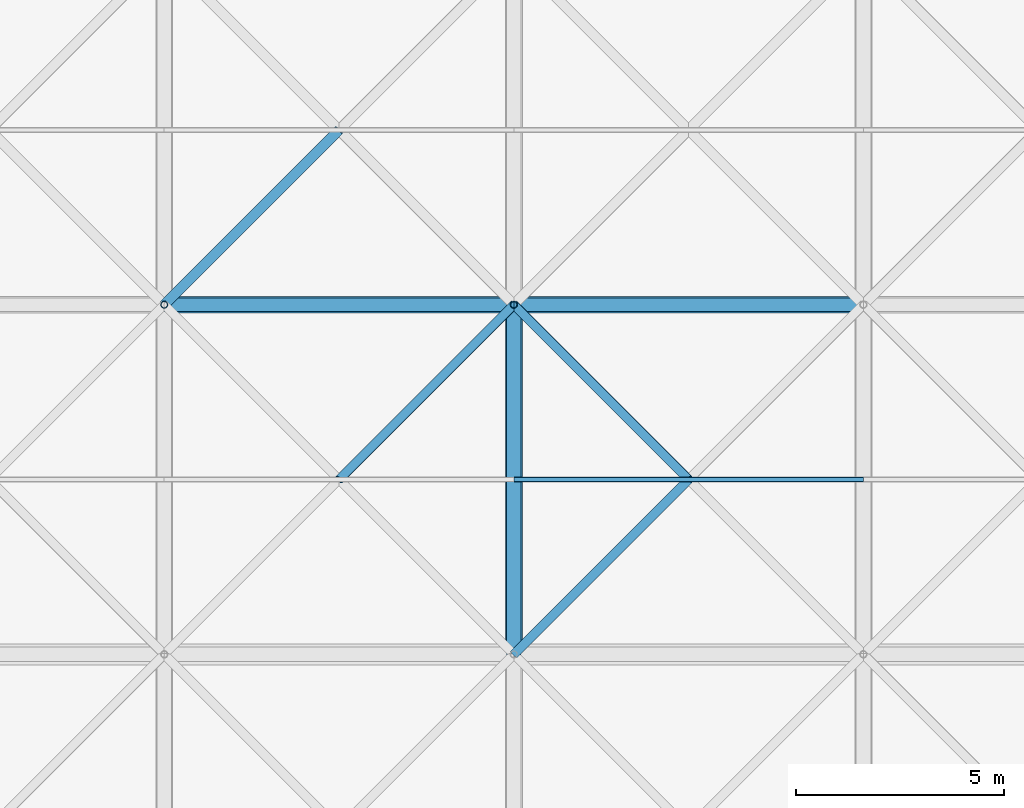
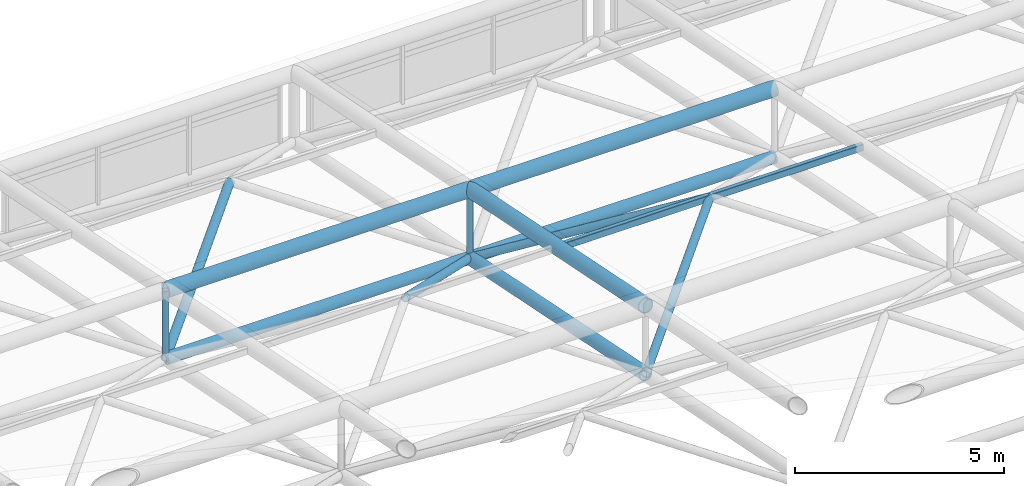
# One storey, part 51 of 81: 13 members.
"""IFC4 building model written with IfcOpenShell, lengths in metres."""

from ifc_helpers import new_model, si_unit, direction, frame, origin, origin_2d, place, context, subcontext, project, spatial, hollow_rectangle, hollow_circle, extrude, material, material_profile, profile_set, type_object, element, save


model = new_model("IFC4")

# Units and contexts
model_context = context("Model", 3, precision=1e-05, world=origin(), true_north=direction((0.0, 1.0)))
body_context = subcontext(model_context, "Body", "Model", "MODEL_VIEW")
ifc_project = project(units=[si_unit("LENGTHUNIT", "METRE"), si_unit("AREAUNIT", "SQUARE_METRE"), si_unit("VOLUMEUNIT", "CUBIC_METRE"), si_unit("PLANEANGLEUNIT", "RADIAN"), si_unit("MASSUNIT", "GRAM", prefix="KILO")], contexts=[model_context])

# Site, building, storey
site_placement = place(None, origin())
site = spatial("IfcSite", under=ifc_project, at=site_placement, CompositionType="ELEMENT")
building_placement = place(site_placement, origin())
building = spatial("IfcBuilding", under=site, at=building_placement, Name="Qawsi Khor Wholesale Market", CompositionType="ELEMENT")
storey_placement = place(building_placement, frame((0.0, 0.0, 16.199951171875)))
storey = spatial("IfcBuildingStorey", under=building, at=storey_placement, Name="L03", CompositionType="ELEMENT", Elevation=16.199951171875)

# Members
ifc_material = material(Name="Steel S355", Category="steel")
ifc_material_profile_1 = material_profile(ifc_material, hollow_circle(Radius=0.177734375, WallThickness=0.01611328125, at=origin_2d()), Name="CHS 355.6x16.0")
ifc_profile_set_1 = profile_set([ifc_material_profile_1], Name="Steel S355")
member_type_1 = type_object("IfcMemberType", Name="Space-Frame Bottom Chord CHS 355.6x16.0", PredefinedType="CHORD", material=ifc_profile_set_1)
member_1_placement = place(storey_placement, frame((42.0, 92.39990234375, 3.3701171875), z_axis=(0.0, 0.98013111127, -0.198350711418), x_axis=(-1.0, 0.0, 0.0)))
element("IfcMember", 1, at=member_1_placement, inside=storey, type_object=member_type_1, Name="Space frame bottom chord Y WH (5,11)", PredefinedType="CHORD", context=body_context, shape_type="SweptSolid", body=[
    extrude(hollow_circle(Radius=0.177734375, WallThickness=0.01611328125, at=origin_2d()), origin(), (0.0, 0.0, 1.0), 8.5703125),
])
ifc_material_profile_2 = material_profile(ifc_material, hollow_circle(Radius=0.122314453125, WallThickness=0.012451171875, at=origin_2d()), Name="CHS 244.5x12.5")
ifc_profile_set_2 = profile_set([ifc_material_profile_2], Name="Steel S355")
member_type_2 = type_object("IfcMemberType", Name="Space-Frame Heavy Diagonal CHS 244.5x12.5", PredefinedType="POST", material=ifc_profile_set_2)
member_2_placement = place(storey_placement, frame((33.60009765625, 100.800048828125, 1.670166015625), z_axis=(0.694216714393, 0.694216714393, 0.190069216113), x_axis=(-0.707106781187, 0.707106781187, 0.0)))
element("IfcMember", 2, at=member_2_placement, inside=storey, type_object=member_type_2, Name="Space frame diagonal WH (4,12)-1", PredefinedType="POST", context=body_context, shape_type="SweptSolid", body=[
    extrude(hollow_circle(Radius=0.122314453125, WallThickness=0.012451171875, at=origin_2d()), origin(), (0.0, 0.0, 1.0), 6.0498046875),
])
ifc_material_profile_3 = material_profile(ifc_material, hollow_rectangle(XDim=0.1201171875, YDim=0.199951171875, WallThickness=0.008056640625, InnerFilletRadius=0.008056640625, OuterFilletRadius=0.01611328125, at=origin_2d()), Name="RHS 200x120x8.0")
ifc_profile_set_3 = profile_set([ifc_material_profile_3], Name="Steel S355")
member_type_3 = type_object("IfcMemberType", Name="Space-Frame Heavy Purlin RHS 200x120x8.0", PredefinedType="PURLIN", material=ifc_profile_set_3)
member_3_placement = place(storey_placement, frame((42.0, 96.60009765625, 4.52001953125), z_axis=(1.0, 0.0, 0.0), x_axis=(0.0, 1.0, 0.0)))
element("IfcMember", 3, at=member_3_placement, inside=storey, type_object=member_type_3, Name="Space frame purlin WH (5,11)", PredefinedType="PURLIN", context=body_context, shape_type="SweptSolid", body=[
    extrude(hollow_rectangle(XDim=0.1201171875, YDim=0.199951171875, WallThickness=0.008056640625, InnerFilletRadius=0.008056640625, OuterFilletRadius=0.01611328125, at=origin_2d()), origin(), (0.0, 0.0, 1.0), 8.39990234375),
])
ifc_material_profile_4 = material_profile(ifc_material, hollow_circle(Radius=0.109619140625, WallThickness=0.010009765625, at=origin_2d()), Name="CHS 219.1x10.0")
ifc_profile_set_4 = profile_set([ifc_material_profile_4], Name="Steel S355")
member_type_4 = type_object("IfcMemberType", Name="Space-Frame Inner Diagonal CHS 219.1x10.0", PredefinedType="RAFTER", material=ifc_profile_set_4)
member_4_placement = place(storey_placement, frame((42.0, 100.800048828125, 1.670166015625), z_axis=(-0.637521961484, -0.637521961484, 0.432586982294), x_axis=(0.707106781187, -0.707106781187, 0.0)))
element("IfcMember", 4, at=member_4_placement, inside=storey, type_object=member_type_4, Name="Space frame diagonal WH (4,11)-3", PredefinedType="RAFTER", context=body_context, shape_type="SweptSolid", body=[
    extrude(hollow_circle(Radius=0.109619140625, WallThickness=0.010009765625, at=origin_2d()), origin(), (0.0, 0.0, 1.0), 6.587890625),
])
member_5_placement = place(storey_placement, frame((42.0, 92.39990234375, 3.3701171875), z_axis=(0.694197266374, 0.694237619642, 0.19006389145), x_axis=(-0.707127332136, 0.70708622964, 0.0)))
element("IfcMember", 5, at=member_5_placement, inside=storey, type_object=member_type_4, Name="Space frame diagonal WH (5,11)-1", PredefinedType="RAFTER", context=body_context, shape_type="SweptSolid", body=[
    extrude(hollow_circle(Radius=0.109619140625, WallThickness=0.010009765625, at=origin_2d()), origin(), (0.0, 0.0, 1.0), 6.050048828125),
])
member_6_placement = place(storey_placement, frame((42.0, 100.800048828125, 1.670166015625), z_axis=(0.637521961484, -0.637521961484, 0.432586982294), x_axis=(0.707106781187, 0.707106781187, 0.0)))
element("IfcMember", 6, at=member_6_placement, inside=storey, type_object=member_type_4, Name="Space frame diagonal WH (5,11)-4", PredefinedType="RAFTER", context=body_context, shape_type="SweptSolid", body=[
    extrude(hollow_circle(Radius=0.109619140625, WallThickness=0.010009765625, at=origin_2d()), origin(), (0.0, 0.0, 1.0), 6.587890625),
])
ifc_material_profile_5 = material_profile(ifc_material, hollow_circle(Radius=0.161865234375, WallThickness=0.01611328125, at=origin_2d()), Name="CHS 323.9x16.0")
ifc_profile_set_5 = profile_set([ifc_material_profile_5], Name="Steel S355")
member_type_5 = type_object("IfcMemberType", Name="Space-Frame Secondary Chord CHS 323.9x16.0", PredefinedType="CHORD", material=ifc_profile_set_5)
for number, where, z_axis, x_axis, name in (
    (7, (33.60009765625, 100.800048828125, 1.670166015625), (1.0, 0.0, 0.0), (0.0, 1.0, 0.0), "Space frame bottom chord X WH (4,12)"),
    (8, (42.0, 100.800048828125, 1.670166015625), (1.0, 0.0, 0.0), (0.0, 1.0, 0.0), "Space frame bottom chord X WH (5,12)"),
):
    element("IfcMember", number, at=place(storey_placement, frame(where, z_axis=z_axis, x_axis=x_axis)), inside=storey, type_object=member_type_5, Name=name, PredefinedType="CHORD", context=body_context, shape_type="SweptSolid", body=[
        extrude(hollow_circle(Radius=0.161865234375, WallThickness=0.01611328125, at=origin_2d()), origin(), (0.0, 0.0, 1.0), 8.39990234375),
    ])
ifc_material_profile_6 = material_profile(ifc_material, hollow_circle(Radius=0.203125, WallThickness=0.02001953125, at=origin_2d()), Name="CHS 406.4x20.0")
ifc_profile_set_6 = profile_set([ifc_material_profile_6], Name="Steel S355")
member_type_6 = type_object("IfcMemberType", Name="Space-Frame Top Chord CHS 406.4x20.0", PredefinedType="CHORD", material=ifc_profile_set_6)
member_7_placement = place(storey_placement, frame((33.60009765625, 100.800048828125, 3.670166015625), z_axis=(1.0, 0.0, 0.0), x_axis=(0.0, 1.0, 0.0)))
element("IfcMember", 9, at=member_7_placement, inside=storey, type_object=member_type_6, Name="Space frame top chord X WH (4,12)", PredefinedType="CHORD", context=body_context, shape_type="SweptSolid", body=[
    extrude(hollow_circle(Radius=0.203125, WallThickness=0.02001953125, at=origin_2d()), origin(), (0.0, 0.0, 1.0), 8.39990234375),
])
member_8_placement = place(storey_placement, frame((42.0, 92.39990234375, 5.3701171875), z_axis=(0.0, 0.98013111127, -0.198350711418), x_axis=(-1.0, 0.0, 0.0)))
element("IfcMember", 10, at=member_8_placement, inside=storey, type_object=member_type_6, Name="Space frame top chord Y WH (5,11)", PredefinedType="CHORD", context=body_context, shape_type="SweptSolid", body=[
    extrude(hollow_circle(Radius=0.203125, WallThickness=0.02001953125, at=origin_2d()), origin(), (0.0, 0.0, 1.0), 8.5703125),
])
member_9_placement = place(storey_placement, frame((42.0, 100.800048828125, 3.670166015625), z_axis=(1.0, 0.0, 0.0), x_axis=(0.0, 1.0, 0.0)))
element("IfcMember", 11, at=member_9_placement, inside=storey, type_object=member_type_6, Name="Space frame top chord X WH (5,12)", PredefinedType="CHORD", context=body_context, shape_type="SweptSolid", body=[
    extrude(hollow_circle(Radius=0.203125, WallThickness=0.02001953125, at=origin_2d()), origin(), (0.0, 0.0, 1.0), 8.39990234375),
])
ifc_material_profile_7 = material_profile(ifc_material, hollow_circle(Radius=0.084228515625, WallThickness=0.008056640625, at=origin_2d()), Name="CHS 168.3x8.0")
ifc_profile_set_7 = profile_set([ifc_material_profile_7], Name="Steel S355")
member_type_7 = type_object("IfcMemberType", Name="Space-Frame Vertical Strut CHS 168.3x8.0", PredefinedType="STRUT", material=ifc_profile_set_7)
for number, where, z_axis, x_axis, name in (
    (12, (33.60009765625, 100.800048828125, 1.670166015625), (0.0, 0.0, 1.0), (1.0, 0.0, 0.0), "Space frame post WH (4,12)"),
    (13, (42.0, 100.800048828125, 1.670166015625), (0.0, 0.0, 1.0), (1.0, 0.0, 0.0), "Space frame post WH (5,12)"),
):
    element("IfcMember", number, at=place(storey_placement, frame(where, z_axis=z_axis, x_axis=x_axis)), inside=storey, type_object=member_type_7, Name=name, PredefinedType="STRUT", context=body_context, shape_type="SweptSolid", body=[
        extrude(hollow_circle(Radius=0.084228515625, WallThickness=0.008056640625, at=origin_2d()), origin(), (0.0, 0.0, 1.0), 2.0),
    ])

save(model, "model.ifc")
